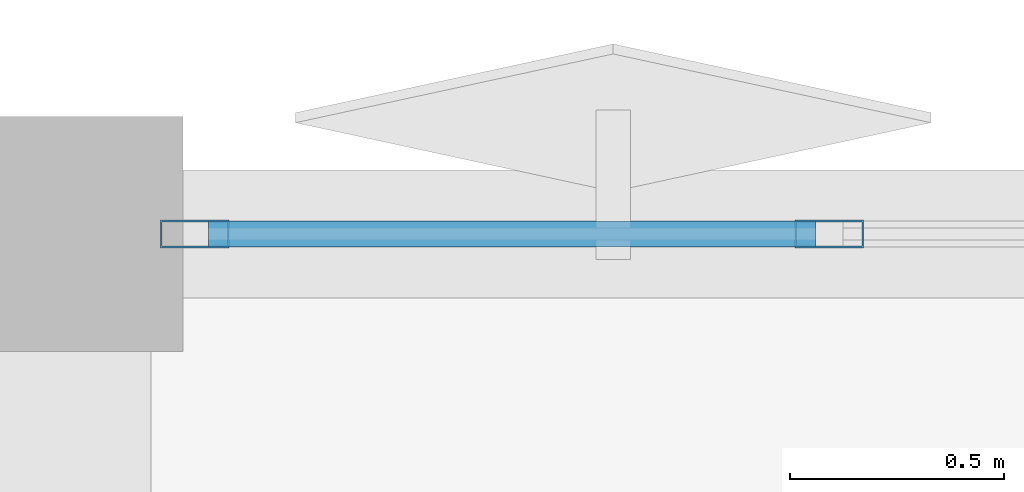
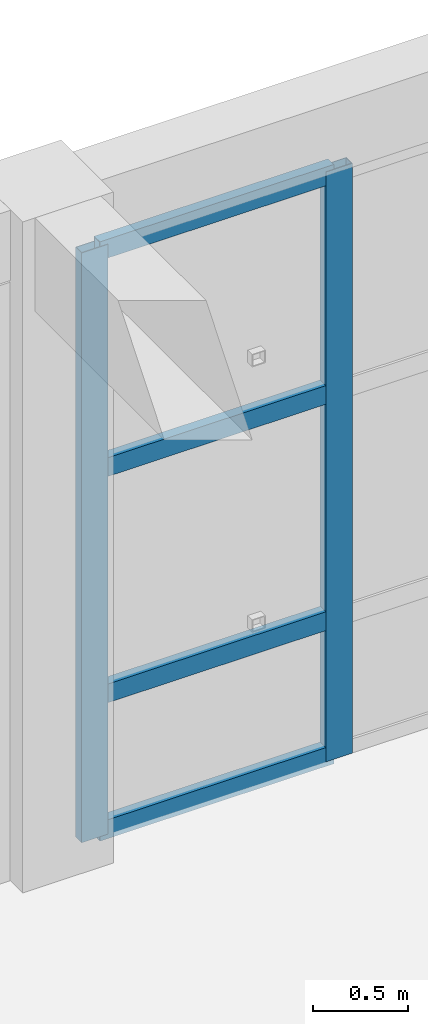
# One storey, part 10 of 36: 6 members, 1 element without a shape of its own.
"""IFC4 building model written with IfcOpenShell, lengths in metres."""

from ifc_helpers import new_model, si_unit, direction, frame, origin, origin_2d, place, context, subcontext, project, spatial, hollow_rectangle, extrude, material, layer, layer_set, material_profile, profile_set, type_object, element, aggregate, save


model = new_model("IFC4")

# Units and contexts
model_context = context("Model", 3, precision=1e-05, world=origin(), true_north=direction((0.0, 1.0)))
body_context = subcontext(model_context, "Body", "Model", "MODEL_VIEW")
ifc_project = project(units=[si_unit("LENGTHUNIT", "METRE"), si_unit("AREAUNIT", "SQUARE_METRE"), si_unit("VOLUMEUNIT", "CUBIC_METRE"), si_unit("PLANEANGLEUNIT", "RADIAN"), si_unit("MASSUNIT", "GRAM", prefix="KILO")], contexts=[model_context])

# Site, building, storey
site_placement = place(None, origin())
site = spatial("IfcSite", under=ifc_project, at=site_placement, CompositionType="ELEMENT")
building_placement = place(site_placement, origin())
building = spatial("IfcBuilding", under=site, at=building_placement, Name="Kharisveld Research Institute", CompositionType="ELEMENT")
storey_placement = place(building_placement, frame((0.0, 0.0, 27.60009765625)))
storey = spatial("IfcBuildingStorey", under=building, at=storey_placement, Name="L06", CompositionType="ELEMENT", Elevation=27.60009765625)

# Curtain wall, members
ifc_material_1 = material(Name="Thermally Broken Aluminium Curtain Wall", Category="aluminium")
ifc_layer = layer(ifc_material_1, 0.159912109375)
ifc_layer_set = layer_set([ifc_layer], Name="CW_SYS_02")
curtain_wall_type = type_object("IfcCurtainWallType", Name="CW_SYS_02", PredefinedType="NOTDEFINED", material=ifc_layer_set)
curtain_wall_placement = place(storey_placement, origin())
curtain_wall = element("IfcCurtainWall", 1, at=curtain_wall_placement, inside=storey, type_object=curtain_wall_type, Name="CW:V2:L06:N2", PredefinedType="NOTDEFINED")
ifc_material_2 = material(Name="Anodised Aluminium AW-6063-T6", Category="aluminium")
ifc_material_profile_1 = material_profile(ifc_material_2, hollow_rectangle(XDim=0.06494140625, YDim=0.159912109375, WallThickness=0.00390625, at=origin_2d()))
ifc_profile_set_1 = profile_set([ifc_material_profile_1], Name="Anodised Aluminium AW-6063-T6")
member_type_1 = type_object("IfcMemberType", Name="CW_MUL_160", PredefinedType="MULLION", material=ifc_profile_set_1)
member_1_placement = place(storey_placement, frame((128.1025390625, 60.800048828125, 0.0), z_axis=(0.0, 0.0, 1.0), x_axis=(0.0, 1.0, 0.0)))
member_1 = element("IfcMember", 2, at=member_1_placement, type_object=member_type_1, Name="CW-02 mullion 1", PredefinedType="MULLION", context=body_context, shape_type="SweptSolid", body=[
    extrude(hollow_rectangle(XDim=0.06494140625, YDim=0.159912109375, WallThickness=0.00390625, at=origin_2d()), origin(), (0.0, 0.0, 1.0), 3.77978515625),
])
member_2_placement = place(storey_placement, frame((129.5849609375, 60.800048828125, 0.0), z_axis=(0.0, 0.0, 1.0), x_axis=(0.0, 1.0, 0.0)))
member_2 = element("IfcMember", 3, at=member_2_placement, type_object=member_type_1, Name="CW-02 mullion 2", PredefinedType="MULLION", context=body_context, shape_type="SweptSolid", body=[
    extrude(hollow_rectangle(XDim=0.06494140625, YDim=0.159912109375, WallThickness=0.00390625, at=origin_2d()), origin(), (0.0, 0.0, 1.0), 3.77978515625),
])
ifc_material_3 = material(Name="Anodised Aluminium AW-6063-T6", Category="aluminium")
ifc_material_profile_2 = material_profile(ifc_material_3, hollow_rectangle(XDim=0.06005859375, YDim=0.1201171875, WallThickness=0.00390625, at=origin_2d()))
ifc_profile_set_2 = profile_set([ifc_material_profile_2], Name="Anodised Aluminium AW-6063-T6")
member_type_2 = type_object("IfcMemberType", Name="CW_TRN_120", PredefinedType="USERDEFINED", material=ifc_profile_set_2)
member_3_placement = place(storey_placement, frame((128.135009765625, 60.800048828125, 0.02978515625), z_axis=(1.0, 0.0, 0.0), x_axis=(0.0, 1.0, 0.0)))
member_3 = element("IfcMember", 4, at=member_3_placement, type_object=member_type_2, Name="CW-02 transom 1.1", ObjectType="TRANSOM", PredefinedType="USERDEFINED", context=body_context, shape_type="SweptSolid", body=[
    extrude(hollow_rectangle(XDim=0.06005859375, YDim=0.1201171875, WallThickness=0.00390625, at=origin_2d()), origin(), (0.0, 0.0, 1.0), 1.41748046875),
])
member_4_placement = place(storey_placement, frame((128.135009765625, 60.800048828125, 0.89990234375), z_axis=(1.0, 0.0, 0.0), x_axis=(0.0, 1.0, 0.0)))
member_4 = element("IfcMember", 5, at=member_4_placement, type_object=member_type_2, Name="CW-02 transom 1.2", ObjectType="TRANSOM", PredefinedType="USERDEFINED", context=body_context, shape_type="SweptSolid", body=[
    extrude(hollow_rectangle(XDim=0.06005859375, YDim=0.1201171875, WallThickness=0.00390625, at=origin_2d()), origin(), (0.0, 0.0, 1.0), 1.41748046875),
])
member_5_placement = place(storey_placement, frame((128.135009765625, 60.800048828125, 2.349853515625), z_axis=(1.0, 0.0, 0.0), x_axis=(0.0, 1.0, 0.0)))
member_5 = element("IfcMember", 6, at=member_5_placement, type_object=member_type_2, Name="CW-02 transom 1.3", ObjectType="TRANSOM", PredefinedType="USERDEFINED", context=body_context, shape_type="SweptSolid", body=[
    extrude(hollow_rectangle(XDim=0.06005859375, YDim=0.1201171875, WallThickness=0.00390625, at=origin_2d()), origin(), (0.0, 0.0, 1.0), 1.41748046875),
])
member_6_placement = place(storey_placement, frame((128.135009765625, 60.800048828125, 3.75), z_axis=(1.0, 0.0, 0.0), x_axis=(0.0, 1.0, 0.0)))
member_6 = element("IfcMember", 7, at=member_6_placement, type_object=member_type_2, Name="CW-02 transom 1.4", ObjectType="TRANSOM", PredefinedType="USERDEFINED", context=body_context, shape_type="SweptSolid", body=[
    extrude(hollow_rectangle(XDim=0.06005859375, YDim=0.1201171875, WallThickness=0.00390625, at=origin_2d()), origin(), (0.0, 0.0, 1.0), 1.41748046875),
])
aggregate(curtain_wall, [member_1, member_2, member_3, member_4, member_5, member_6])

save(model, "model.ifc")
